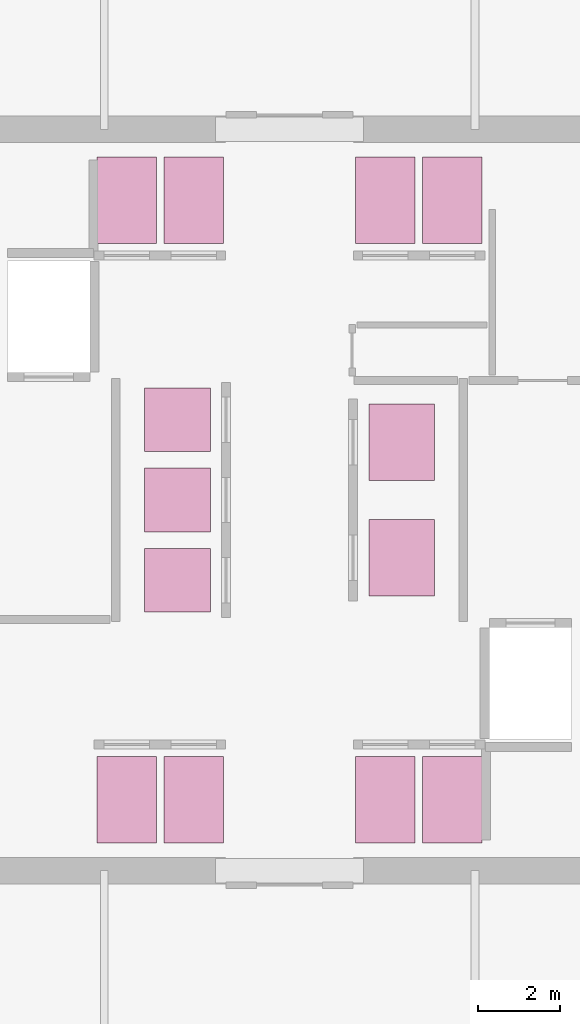
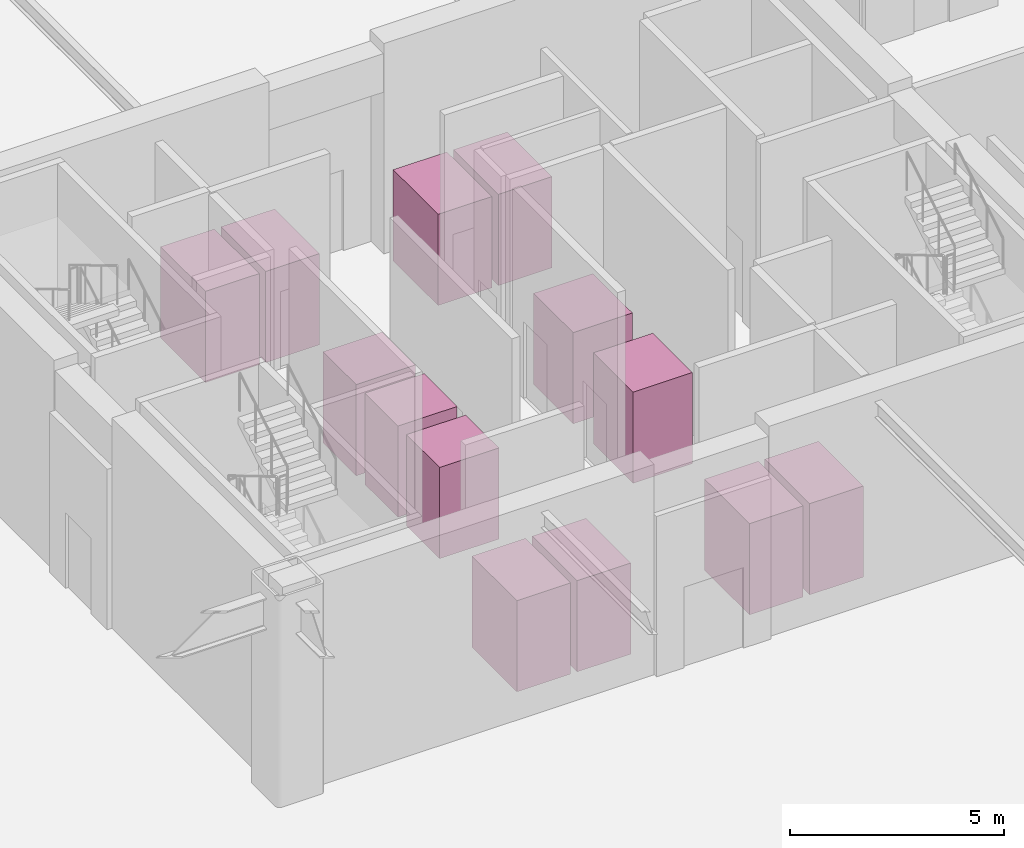
# One storey, part 17 of 17: 13 transport elements.
"""IFC4 building model written with IfcOpenShell, lengths in metres."""

from ifc_helpers import new_model, si_unit, direction, frame, origin, origin_2d, place, context, subcontext, project, spatial, rectangle, extrude, source, transform, mapped, material, type_object, element, save


model = new_model("IFC4")

# Units and contexts
model_context = context("Model", 3, precision=1e-05, world=origin(), true_north=direction((0.0, 1.0)))
body_context = subcontext(model_context, "Body", "Model", "MODEL_VIEW")
ifc_project = project(units=[si_unit("LENGTHUNIT", "METRE"), si_unit("AREAUNIT", "SQUARE_METRE"), si_unit("VOLUMEUNIT", "CUBIC_METRE"), si_unit("PLANEANGLEUNIT", "RADIAN"), si_unit("MASSUNIT", "GRAM", prefix="KILO")], contexts=[model_context])

# Site, building, storey
site_placement = place(None, origin())
site = spatial("IfcSite", under=ifc_project, at=site_placement, CompositionType="ELEMENT")
building_placement = place(site_placement, origin())
building = spatial("IfcBuilding", under=site, at=building_placement, Name="Nefas-Gora Pilgrimage Tower", CompositionType="ELEMENT")
storey_placement = place(building_placement, origin())
storey = spatial("IfcBuildingStorey", under=building, at=storey_placement, Name="L00", CompositionType="ELEMENT", Elevation=0.0)

# Transport elements
ifc_material = material(Name="Brushed stainless steel", Category="steel")
transport_element_type_1 = type_object("IfcTransportElementType", Name="LFT-PASS-1450x2100", PredefinedType="ELEVATOR", material=ifc_material)
shared_shape_1 = source(origin(), body_context, "Body", "SweptSolid", [
    extrude(rectangle(XDim=1.449951171875, YDim=2.10009765625, at=origin_2d()), origin(), (0.0, 0.0, 1.0), 2.60009765625),
])
for number, where, z_axis, x_axis, name in (
    (1, (-3.949951171875, 7.27490234375, 0.0), (0.0, 0.0, 1.0), (1.0, 0.0, 0.0), "Low-Rise Passenger Lift PL1-01"),
    (2, (-2.324951171875, 7.27490234375, 0.0), (0.0, 0.0, 1.0), (1.0, 0.0, 0.0), "Low-Rise Passenger Lift PL1-02"),
    (3, (2.324951171875, 7.27490234375, 0.0), (0.0, 0.0, 1.0), (1.0, 0.0, 0.0), "Low-Rise Passenger Lift PL1-03"),
    (4, (3.949951171875, 7.27490234375, 0.0), (0.0, 0.0, 1.0), (1.0, 0.0, 0.0), "Low-Rise Passenger Lift PL1-04"),
    (5, (-3.949951171875, -7.27490234375, 0.0), (0.0, 0.0, 1.0), (1.0, 0.0, 0.0), "Mid-Rise Passenger Lift PL2-01"),
    (6, (-2.324951171875, -7.27490234375, 0.0), (0.0, 0.0, 1.0), (1.0, 0.0, 0.0), "Mid-Rise Passenger Lift PL2-02"),
    (7, (2.324951171875, -7.27490234375, 0.0), (0.0, 0.0, 1.0), (1.0, 0.0, 0.0), "Mid-Rise Passenger Lift PL2-03"),
    (8, (3.949951171875, -7.27490234375, 0.0), (0.0, 0.0, 1.0), (1.0, 0.0, 0.0), "Mid-Rise Passenger Lift PL2-04"),
):
    element("IfcTransportElement", number, at=place(storey_placement, frame(where, z_axis=z_axis, x_axis=x_axis)), inside=storey, type_object=transport_element_type_1, Name=name, PredefinedType="ELEVATOR", context=body_context, shape_type="MappedRepresentation", body=[
        mapped(shared_shape_1, transform((0.0, 0.0, 0.0), x_axis=(1.0, 0.0, 0.0), y_axis=(0.0, 1.0, 0.0), z_axis=(0.0, 0.0, 1.0), scale=1.0)),
    ])
transport_element_type_2 = type_object("IfcTransportElementType", Name="LFT-HIGH-1600x1550", PredefinedType="ELEVATOR", material=ifc_material)
shared_shape_2 = source(origin(), body_context, "Body", "SweptSolid", [
    extrude(rectangle(XDim=1.60009765625, YDim=1.550048828125, at=origin_2d()), origin(), (0.0, 0.0, 1.0), 2.60009765625),
])
for number, where, z_axis, x_axis, name in (
    (9, (-2.72509765625, -1.949951171875, 0.0), (0.0, 0.0, 1.0), (1.0, 0.0, 0.0), "High-Rise Passenger Lift PL3-01"),
    (10, (-2.72509765625, 0.0, 0.0), (0.0, 0.0, 1.0), (1.0, 0.0, 0.0), "High-Rise Passenger Lift PL3-02"),
    (11, (-2.72509765625, 1.949951171875, 0.0), (0.0, 0.0, 1.0), (1.0, 0.0, 0.0), "High-Rise Passenger Lift PL3-03"),
):
    element("IfcTransportElement", number, at=place(storey_placement, frame(where, z_axis=z_axis, x_axis=x_axis)), inside=storey, type_object=transport_element_type_2, Name=name, PredefinedType="ELEVATOR", context=body_context, shape_type="MappedRepresentation", body=[
        mapped(shared_shape_2, transform((0.0, 0.0, 0.0), x_axis=(1.0, 0.0, 0.0), y_axis=(0.0, 1.0, 0.0), z_axis=(0.0, 0.0, 1.0), scale=1.0)),
    ])
transport_element_type_3 = type_object("IfcTransportElementType", Name="LFT-EXPR-1600x1850", PredefinedType="ELEVATOR", material=ifc_material)
shared_shape_3 = source(origin(), body_context, "Body", "SweptSolid", [
    extrude(rectangle(XDim=1.60009765625, YDim=1.85009765625, at=origin_2d()), origin(), (0.0, 0.0, 1.0), 2.60009765625),
])
for number, where, z_axis, x_axis, name in (
    (12, (2.72509765625, -1.39990234375, 0.0), (0.0, 0.0, 1.0), (1.0, 0.0, 0.0), "Observation Shuttle Lift OBS-01"),
    (13, (2.72509765625, 1.39990234375, 0.0), (0.0, 0.0, 1.0), (1.0, 0.0, 0.0), "Observation Shuttle Lift OBS-02"),
):
    element("IfcTransportElement", number, at=place(storey_placement, frame(where, z_axis=z_axis, x_axis=x_axis)), inside=storey, type_object=transport_element_type_3, Name=name, PredefinedType="ELEVATOR", context=body_context, shape_type="MappedRepresentation", body=[
        mapped(shared_shape_3, transform((0.0, 0.0, 0.0), x_axis=(1.0, 0.0, 0.0), y_axis=(0.0, 1.0, 0.0), z_axis=(0.0, 0.0, 1.0), scale=1.0)),
    ])

save(model, "model.ifc")
